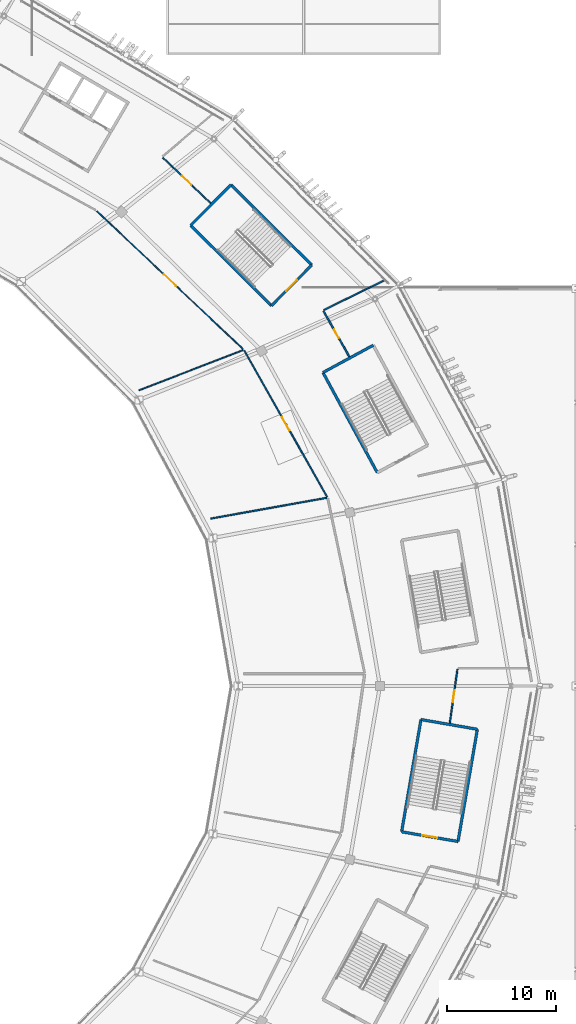
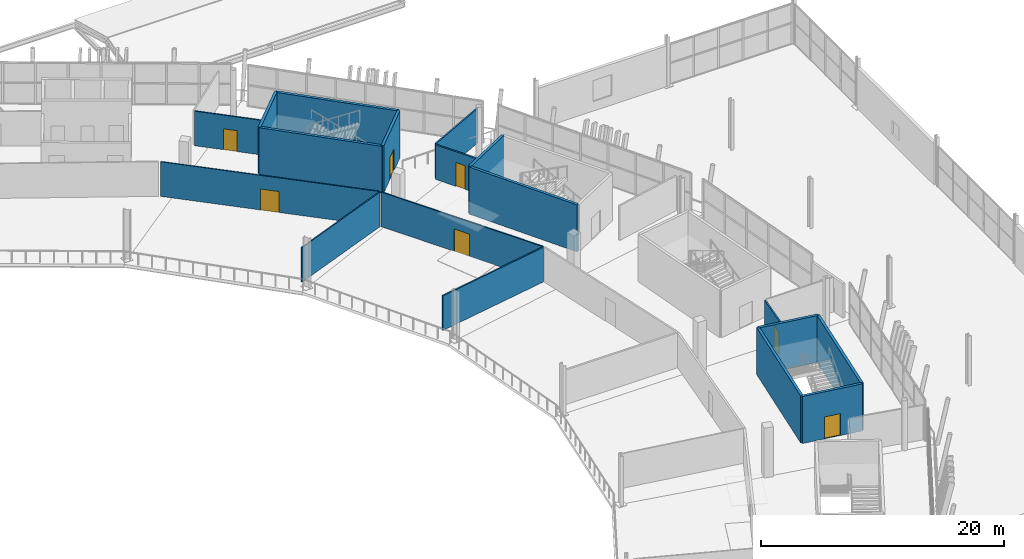
# One storey, part 131 of 179: 18 walls, 7 doors, 7 openings.
"""IFC4 building model written with IfcOpenShell, lengths in metres."""

import ifcopenshell
import ifcopenshell.guid

model = None  # the IFC model being written
_history = None  # IfcOwnerHistory: only IFC2X3 demands one
_inside = {}  # id of a spatial element -> (the spatial element, [elements in it])
_under = {}  # id of a project, library or spatial element -> (it, [spatial elements below it])
_declared = {}  # id of a project -> (the project, [libraries it declares])
_typed = {}  # id of a type object -> (the type object, [elements of that type])
_made_of = {}  # id of a material, layer set ... -> (it, [elements and type objects made of it])


def new_model(schema):
    """Start an empty IFC model of exactly this schema.

    Asked for "IFC4X3", IfcOpenShell would pick the latest addendum, in which some entities
    have other attributes; the version numbers below select the first issue.
    IFC2X3 requires an IfcOwnerHistory on every rooted entity: one is made here for all.
    """
    global model, _history
    if schema == "IFC4X3":
        model = ifcopenshell.file(schema_version=(4, 3, 0, 0))
    else:
        model = ifcopenshell.file(schema=schema)
    _inside.clear()
    _under.clear()
    _declared.clear()
    _typed.clear()
    _made_of.clear()
    _history = None
    if model.schema == "IFC2X3":
        org = make("IfcOrganization", Name="unknown")
        user = make(
            "IfcPersonAndOrganization",
            ThePerson=make("IfcPerson", FamilyName="unknown"),
            TheOrganization=org,
        )
        app = make(
            "IfcApplication",
            ApplicationDeveloper=org,
            Version="unknown",
            ApplicationFullName="unknown",
            ApplicationIdentifier="unknown",
        )
        _history = make(
            "IfcOwnerHistory",
            OwningUser=user,
            OwningApplication=app,
            ChangeAction="ADDED",
            CreationDate=0,
        )
    return model


def make(cls, **values):
    """One entity of the class cls with the attributes given. An attribute that is None is left unset."""
    return model.create_entity(
        cls, **{name: value for name, value in values.items() if value is not None}
    )


def rooted(cls, **values):
    """An entity with a GlobalId (a new one), such as an element, a storey or a relation."""
    return make(cls, GlobalId=ifcopenshell.guid.new(), OwnerHistory=_history, **values)


def si_unit(unit_type, name, prefix=None):
    """IfcSIUnit, for example si_unit("LENGTHUNIT", "METRE", prefix="MILLI")."""
    return make("IfcSIUnit", UnitType=unit_type, Prefix=prefix, Name=name)


def assignment(units):
    """IfcUnitAssignment: the units of a project."""
    return None if units is None else make("IfcUnitAssignment", Units=units)


def point(xyz):
    """IfcCartesianPoint."""
    return None if xyz is None else make("IfcCartesianPoint", Coordinates=xyz)


def direction(xyz):
    """IfcDirection."""
    return None if xyz is None else make("IfcDirection", DirectionRatios=xyz)


def frame(location, z_axis=None, x_axis=None):
    """IfcAxis2Placement3D, a coordinate frame: its origin and axes. An axis left out is left unset."""
    return make(
        "IfcAxis2Placement3D",
        Location=point(location),
        Axis=direction(z_axis),
        RefDirection=direction(x_axis),
    )


def frame_2d(location, x_axis=None):
    """IfcAxis2Placement2D, a coordinate frame in the plane: its origin and x axis."""
    return make(
        "IfcAxis2Placement2D", Location=point(location), RefDirection=direction(x_axis)
    )


def origin():
    """The frame at (0, 0, 0) with its axes left unset."""
    return frame((0.0, 0.0, 0.0))


def place(relative_to, where):
    """IfcLocalPlacement: puts the frame where relative to a parent placement (None: the world)."""
    return make(
        "IfcLocalPlacement", PlacementRelTo=relative_to, RelativePlacement=where
    )


def context(
    kind, dimensions, precision=None, world=None, true_north=None, identifier=None
):
    """IfcGeometricRepresentationContext, for example the 3D "Model" context."""
    return make(
        "IfcGeometricRepresentationContext",
        ContextIdentifier=identifier,
        ContextType=kind,
        CoordinateSpaceDimension=dimensions,
        Precision=precision,
        WorldCoordinateSystem=world,
        TrueNorth=true_north,
    )


def subcontext(parent, identifier, kind, view, scale=None):
    """IfcGeometricRepresentationSubContext, for example "Body" below "Model"."""
    return make(
        "IfcGeometricRepresentationSubContext",
        ContextIdentifier=identifier,
        ContextType=kind,
        ParentContext=parent,
        TargetScale=scale,
        TargetView=view,
    )


def project(units=None, contexts=None):
    """IfcProject with its units and contexts."""
    return rooted(
        "IfcProject",
        Name="project",
        RepresentationContexts=contexts,
        UnitsInContext=assignment(units),
    )


def spatial(cls, under=None, at=None, **own):
    """A site, building, storey or space (cls), placed at a placement, below another one or the project."""
    s = rooted(cls, ObjectPlacement=at, **own)
    if under is not None:
        _under.setdefault(under.id(), (under, []))[1].append(s)
    return s


def profile(cls, at=None, kind="AREA", **sizes):
    """A parametric profile (cls). Its sizes go by their IFC names, for example OverallWidth=200.0."""
    return make(cls, ProfileType=kind, Position=at, **sizes)


def rectangle(**sizes):
    """IfcRectangleProfileDef."""
    return profile("IfcRectangleProfileDef", **sizes)


def extrude(swept, where, along, depth):
    """IfcExtrudedAreaSolid: the profile swept, set in the frame where, extruded along a direction by depth."""
    return make(
        "IfcExtrudedAreaSolid",
        SweptArea=swept,
        Position=where,
        ExtrudedDirection=direction(along),
        Depth=depth,
    )


def shape(context_of_items, identifier, shape_type, items):
    """IfcShapeRepresentation: the items that make up one representation, for example the "Body"."""
    return make(
        "IfcShapeRepresentation",
        ContextOfItems=context_of_items,
        RepresentationIdentifier=identifier,
        RepresentationType=shape_type,
        Items=items,
    )


def material(Name=None, Category=None):
    """IfcMaterial."""
    return make("IfcMaterial", Name=Name, Category=Category)


def layer(
    of_material, thickness, ventilated=None, Name=None, Category=None, Priority=None
):
    """IfcMaterialLayer: one layer of a wall or slab, of a material (None: an air gap)."""
    return make(
        "IfcMaterialLayer",
        Material=of_material,
        LayerThickness=thickness,
        IsVentilated=ventilated,
        Name=Name,
        Category=Category,
        Priority=Priority,
    )


def layer_set(layers, Name=None):
    """IfcMaterialLayerSet."""
    return make("IfcMaterialLayerSet", MaterialLayers=layers, LayerSetName=Name)


def made_of(thing, what):
    """Note that an element or type object is made of a material, layer set ...; save() writes the relation."""
    if what is not None:
        _made_of.setdefault(what.id(), (what, []))[1].append(thing)
    return thing


def type_object(cls, material=None, **own):
    """A type object (cls), such as IfcWallType, which elements share."""
    return made_of(rooted(cls, **own), material)


def element(
    cls,
    number,
    at=None,
    inside=None,
    cuts=None,
    type_object=None,
    material=None,
    context=None,
    identifier="Body",
    shape_type=None,
    held_by="IfcProductDefinitionShape",
    body=None,
    shapes=None,
    **own,
):
    """One element of the class cls, such as IfcWall. Its Tag is "e" and its number.

    at: its placement. inside: the storey or other place that contains it. cuts: it is an
    opening in that element (IfcRelVoidsElement). A single representation is given by context,
    identifier, shape_type and body (its items); several are given by shapes. held_by: the class
    of the entity that holds the representations. save() writes the other relations.
    """
    e = rooted(cls, Tag="e%d" % number, ObjectPlacement=at, **own)
    if body is not None:
        shapes = [shape(context, identifier, shape_type, body)]
    if shapes is not None:
        e.Representation = make(held_by, Representations=shapes)
    if inside is not None:
        _inside.setdefault(inside.id(), (inside, []))[1].append(e)
    if cuts is not None:
        rooted(
            "IfcRelVoidsElement", RelatingBuildingElement=cuts, RelatedOpeningElement=e
        )
    if type_object is not None:
        _typed.setdefault(type_object.id(), (type_object, []))[1].append(e)
    return made_of(e, material)


def fill(opening, filler):
    """IfcRelFillsElement: the door or window that sits in an opening."""
    return rooted(
        "IfcRelFillsElement",
        RelatingOpeningElement=opening,
        RelatedBuildingElement=filler,
    )


def aggregate(whole, parts):
    """IfcRelAggregates: a whole, such as a stair, and the parts it consists of."""
    return rooted("IfcRelAggregates", RelatingObject=whole, RelatedObjects=parts)


def save(model, path):
    """Write the relations noted so far, then the file.

    IfcRelAggregates (storeys below a building ...), IfcRelContainedInSpatialStructure (elements
    in a storey), IfcRelDefinesByType, IfcRelAssociatesMaterial and IfcRelDeclares: one each for
    every whole, place, type object, material and project.
    """
    for whole, parts in _under.values():
        aggregate(whole, parts)
    for where, things in _inside.values():
        rooted(
            "IfcRelContainedInSpatialStructure",
            RelatedElements=things,
            RelatingStructure=where,
        )
    for kind, things in _typed.values():
        rooted("IfcRelDefinesByType", RelatedObjects=things, RelatingType=kind)
    for what, things in _made_of.values():
        rooted("IfcRelAssociatesMaterial", RelatedObjects=things, RelatingMaterial=what)
    for by, libraries in _declared.values():
        rooted("IfcRelDeclares", RelatingContext=by, RelatedDefinitions=libraries)
    model.write(path)


model = new_model("IFC4")

# Units and contexts
model_context = context("Model", 3, precision=1e-05, world=origin(), true_north=direction((0.0, 1.0)))
body_context = subcontext(model_context, "Body", "Model", "MODEL_VIEW")
ifc_project = project(units=[si_unit("LENGTHUNIT", "METRE"), si_unit("AREAUNIT", "SQUARE_METRE"), si_unit("VOLUMEUNIT", "CUBIC_METRE"), si_unit("PLANEANGLEUNIT", "RADIAN"), si_unit("MASSUNIT", "GRAM", prefix="KILO")], contexts=[model_context])

# Site, building, storey
site_placement = place(None, origin())
site = spatial("IfcSite", under=ifc_project, at=site_placement, CompositionType="ELEMENT")
building_placement = place(site_placement, origin())
building = spatial("IfcBuilding", under=site, at=building_placement, Name="Zlatoyarsky Gate Stadium", CompositionType="ELEMENT")
storey_placement = place(building_placement, frame((0.0, 0.0, 10.60009765625)))
storey = spatial("IfcBuildingStorey", under=building, at=storey_placement, Name="L02", CompositionType="ELEMENT", Elevation=10.60009765625)

# Wall, opening, door
ifc_material_1 = material(Name="Metal-stud gypsum partition", Category="gypsum")
ifc_layer_1 = layer(ifc_material_1, 0.14990234375)
ifc_layer_set_1 = layer_set([ifc_layer_1], Name="Metal-stud gypsum partition")
wall_type_1 = type_object("IfcWallType", Name="CONCOURSE CORRIDOR PARTITION 150", PredefinedType="PARTITIONING", material=ifc_layer_set_1)
wall_1_placement = place(storey_placement, frame((189.186279296875, 110.2236328125, 0.0), z_axis=(0.0, 0.0, 1.0), x_axis=(-0.493135708801, 0.869952396804, 0.0)))
wall_1 = element("IfcWall", 1, at=wall_1_placement, inside=storey, type_object=wall_type_1, Name="L02 interior partition PRT-L02-OCC-01-1", PredefinedType="PARTITIONING", context=body_context, shape_type="SweptSolid", body=[
    extrude(rectangle(XDim=4.80224609375, YDim=0.14990234375, at=frame_2d((2.401123046875, 0.0))), origin(), (0.0, 0.0, 1.0), 3.469970703125),
])
opening_1_placement = place(wall_1_placement, frame((1.951171875, 0.0, 0.0)))
opening_1 = element("IfcOpeningElement", 2, at=opening_1_placement, cuts=wall_1, Name="Opening D-L02-342", PredefinedType="OPENING", context=body_context, shape_type="SweptSolid", body=[
    extrude(rectangle(XDim=0.89990234375, YDim=2.3798828125, at=frame_2d((0.449951171875, 1.18994140625))), frame((0.0, 0.0849609375, 0.0), z_axis=(0.0, -1.0, 0.0), x_axis=(1.0, 0.0, 0.0)), (0.0, 0.0, 1.0), 0.169921875),
])
ifc_material_2 = material(Name="Powder-coated steel fire door", Category="steel")
door_type_1 = type_object("IfcDoorType", Name="ACOUSTIC INTERIOR DOOR 900X2380", OperationType="NOTDEFINED", PredefinedType="DOOR", material=ifc_material_2)
door_1_placement = place(opening_1_placement, origin())
door_1 = element("IfcDoor", 3, at=door_1_placement, inside=storey, type_object=door_type_1, Name="L02 room door D-L02-342", OperationType="SINGLE_SWING_RIGHT", OverallHeight=2.3798828125, OverallWidth=0.89990234375, PredefinedType="DOOR", context=body_context, shape_type="SweptSolid", body=[
    extrude(rectangle(XDim=0.89990234375, YDim=2.3798828125, at=frame_2d((0.449951171875, 1.18994140625))), frame((0.0, 0.02490234375, 0.0), z_axis=(0.0, -1.0, 0.0), x_axis=(1.0, 0.0, 0.0)), (0.0, 0.0, 1.0), 0.050048828125),
])
fill(opening_1, door_1)

ifc_material_3 = material(Name="Concrete C40/50", Category="concrete")
ifc_layer_2 = layer(ifc_material_3, 0.25)
ifc_layer_set_2 = layer_set([ifc_layer_2], Name="Concrete C40/50")
wall_type_2 = type_object("IfcWallType", Name="CONCRETE STAIR CORE SHEAR WALL 250", PredefinedType="SHEAR", material=ifc_layer_set_2)
wall_2_placement = place(storey_placement, frame((182.038818359375, 114.89794921875, 0.0), z_axis=(0.0, 0.0, 1.0), x_axis=(0.705314141126, 0.708894888067, 0.0)))
wall_2 = element("IfcWall", 4, at=wall_2_placement, inside=storey, type_object=wall_type_2, Name="ST-02 L02 stair core entrance shear wall", PredefinedType="SHEAR", context=body_context, shape_type="SweptSolid", body=[
    extrude(rectangle(XDim=5.25, YDim=0.25, at=frame_2d((2.625, 0.0))), origin(), (0.0, 0.0, 1.0), 4.719970703125),
])
opening_2_placement = place(wall_2_placement, frame((1.925048828125, 0.0, 0.0)))
opening_2 = element("IfcOpeningElement", 5, at=opening_2_placement, cuts=wall_2, Name="Opening SD-ST-02-L02", PredefinedType="OPENING", context=body_context, shape_type="SweptSolid", body=[
    extrude(rectangle(XDim=1.39990234375, YDim=2.199951171875, at=frame_2d((0.699951171875, 1.10009765625))), frame((0.0, 0.135009765625, 0.0), z_axis=(0.0, -1.0, 0.0), x_axis=(1.0, 0.0, 0.0)), (0.0, 0.0, 1.0), 0.27001953125),
])
door_type_2 = type_object("IfcDoorType", Name="STAIR CORE FIRE EXIT DOOR 1400X2200", OperationType="NOTDEFINED", PredefinedType="DOOR", material=ifc_material_2)
door_2_placement = place(opening_2_placement, frame((1.39990234375, 0.0, 0.0), z_axis=(0.0, 0.0, 1.0), x_axis=(-1.0, 0.0, 0.0)))
door_2 = element("IfcDoor", 6, at=door_2_placement, inside=storey, type_object=door_type_2, Name="ST-02 L02 stair fire door", OperationType="SINGLE_SWING_RIGHT", OverallHeight=2.199951171875, OverallWidth=1.39990234375, PredefinedType="DOOR", context=body_context, shape_type="SweptSolid", body=[
    extrude(rectangle(XDim=1.39990234375, YDim=2.199951171875, at=frame_2d((0.699951171875, 1.10009765625))), frame((0.0, 0.02490234375, 0.0), z_axis=(0.0, -1.0, 0.0), x_axis=(1.0, 0.0, 0.0)), (0.0, 0.0, 1.0), 0.050048828125),
])
fill(opening_2, door_2)

# Walls
wall_3_placement = place(storey_placement, frame((185.74169921875, 118.61962890625, 0.0), z_axis=(0.0, 0.0, 1.0), x_axis=(-0.708891762409, 0.705317282639, 0.0)))
element("IfcWall", 7, at=wall_3_placement, inside=storey, type_object=wall_type_2, Name="ST-02 L02 stair core left shear wall", PredefinedType="SHEAR", context=body_context, shape_type="SweptSolid", body=[
    extrude(rectangle(XDim=10.449951171875, YDim=0.25, at=frame_2d((5.22509765625, 0.0))), origin(), (0.0, 0.0, 1.0), 4.719970703125),
])
wall_4_placement = place(storey_placement, frame((178.333740234375, 125.990234375, 0.0), z_axis=(0.0, 0.0, 1.0), x_axis=(-0.705314141126, -0.708894888067, 0.0)))
element("IfcWall", 8, at=wall_4_placement, inside=storey, type_object=wall_type_2, Name="ST-02 L02 stair core far shear wall", PredefinedType="SHEAR", context=body_context, shape_type="SweptSolid", body=[
    extrude(rectangle(XDim=5.25, YDim=0.25, at=frame_2d((2.625, 0.0))), origin(), (0.0, 0.0, 1.0), 4.719970703125),
])
wall_5_placement = place(storey_placement, frame((174.630859375, 122.2685546875, 0.0), z_axis=(0.0, 0.0, 1.0), x_axis=(0.708891762409, -0.705317282639, 0.0)))
element("IfcWall", 9, at=wall_5_placement, inside=storey, type_object=wall_type_2, Name="ST-02 L02 stair core right shear wall", PredefinedType="SHEAR", context=body_context, shape_type="SweptSolid", body=[
    extrude(rectangle(XDim=10.449951171875, YDim=0.25, at=frame_2d((5.22509765625, 0.0))), origin(), (0.0, 0.0, 1.0), 4.719970703125),
])
wall_6_placement = place(storey_placement, frame((191.384765625, 111.268798828125, 0.0), z_axis=(0.0, 0.0, 1.0), x_axis=(-0.878961487093, -0.47689275965, 0.0)))
element("IfcWall", 10, at=wall_6_placement, inside=storey, type_object=wall_type_2, Name="ST-13 L02 stair core far shear wall", PredefinedType="SHEAR", context=body_context, shape_type="SweptSolid", body=[
    extrude(rectangle(XDim=5.25, YDim=0.25, at=frame_2d((2.625, 0.0))), origin(), (0.0, 0.0, 1.0), 4.719970703125),
])
wall_7_placement = place(storey_placement, frame((186.770263671875, 108.76513671875, 0.0), z_axis=(0.0, 0.0, 1.0), x_axis=(0.476876856974, -0.878970115125, 0.0)))
element("IfcWall", 11, at=wall_7_placement, inside=storey, type_object=wall_type_2, Name="ST-13 L02 stair core right shear wall", PredefinedType="SHEAR", context=body_context, shape_type="SweptSolid", body=[
    extrude(rectangle(XDim=10.4501953125, YDim=0.25, at=frame_2d((5.22509765625, 0.0))), origin(), (0.0, 0.0, 1.0), 4.719970703125),
])

# Wall, opening, door
wall_8_placement = place(storey_placement, frame((193.98681640625, 66.625244140625, 0.0), z_axis=(0.0, 0.0, 1.0), x_axis=(0.985457162135, -0.16992404655, 0.0)))
wall_8 = element("IfcWall", 12, at=wall_8_placement, inside=storey, type_object=wall_type_2, Name="ST-20 L02 stair core entrance shear wall", PredefinedType="SHEAR", context=body_context, shape_type="SweptSolid", body=[
    extrude(rectangle(XDim=5.25, YDim=0.25, at=frame_2d((2.625, 0.0))), origin(), (0.0, 0.0, 1.0), 4.719970703125),
])
opening_3_placement = place(wall_8_placement, frame((1.925048828125, 0.0, 0.0)))
opening_3 = element("IfcOpeningElement", 13, at=opening_3_placement, cuts=wall_8, Name="Opening SD-ST-20-L02", PredefinedType="OPENING", context=body_context, shape_type="SweptSolid", body=[
    extrude(rectangle(XDim=1.39990234375, YDim=2.199951171875, at=frame_2d((0.699951171875, 1.10009765625))), frame((0.0, 0.135009765625, 0.0), z_axis=(0.0, -1.0, 0.0), x_axis=(1.0, 0.0, 0.0)), (0.0, 0.0, 1.0), 0.27001953125),
])
door_3_placement = place(opening_3_placement, frame((1.39990234375, 0.0, 0.0), z_axis=(0.0, 0.0, 1.0), x_axis=(-1.0, 0.0, 0.0)))
door_3 = element("IfcDoor", 14, at=door_3_placement, inside=storey, type_object=door_type_2, Name="ST-20 L02 stair fire door", OperationType="SINGLE_SWING_RIGHT", OverallHeight=2.199951171875, OverallWidth=1.39990234375, PredefinedType="DOOR", context=body_context, shape_type="SweptSolid", body=[
    extrude(rectangle(XDim=1.39990234375, YDim=2.199951171875, at=frame_2d((0.699951171875, 1.10009765625))), frame((0.0, 0.02490234375, 0.0), z_axis=(0.0, -1.0, 0.0), x_axis=(1.0, 0.0, 0.0)), (0.0, 0.0, 1.0), 0.050048828125),
])
fill(opening_3, door_3)

# Walls
wall_9_placement = place(storey_placement, frame((199.160400390625, 65.733154296875, 0.0), z_axis=(0.0, 0.0, 1.0), x_axis=(0.169938992676, 0.985454584833, 0.0)))
element("IfcWall", 15, at=wall_9_placement, inside=storey, type_object=wall_type_2, Name="ST-20 L02 stair core left shear wall", PredefinedType="SHEAR", context=body_context, shape_type="SweptSolid", body=[
    extrude(rectangle(XDim=10.4501953125, YDim=0.25, at=frame_2d((5.22509765625, 0.0))), origin(), (0.0, 0.0, 1.0), 4.719970703125),
])
wall_10_placement = place(storey_placement, frame((200.936279296875, 76.03125, 0.0), z_axis=(0.0, 0.0, 1.0), x_axis=(-0.985458504796, 0.169916259745, 0.0)))
element("IfcWall", 16, at=wall_10_placement, inside=storey, type_object=wall_type_2, Name="ST-20 L02 stair core far shear wall", PredefinedType="SHEAR", context=body_context, shape_type="SweptSolid", body=[
    extrude(rectangle(XDim=5.250244140625, YDim=0.25, at=frame_2d((2.625, 0.0))), origin(), (0.0, 0.0, 1.0), 4.719970703125),
])
wall_11_placement = place(storey_placement, frame((195.762451171875, 76.92333984375, 0.0), z_axis=(0.0, 0.0, 1.0), x_axis=(-0.16991630471, -0.985458497043, 0.0)))
element("IfcWall", 17, at=wall_11_placement, inside=storey, type_object=wall_type_2, Name="ST-20 L02 stair core right shear wall", PredefinedType="SHEAR", context=body_context, shape_type="SweptSolid", body=[
    extrude(rectangle(XDim=10.449951171875, YDim=0.25, at=frame_2d((5.22509765625, 0.0))), origin(), (0.0, 0.0, 1.0), 4.719970703125),
])
ifc_layer_3 = layer(ifc_material_1, 0.110107421875)
ifc_layer_set_3 = layer_set([ifc_layer_3], Name="Metal-stud gypsum partition")
wall_type_3 = type_object("IfcWallType", Name="KIOSK SERVICE PARTITION 110", PredefinedType="PARTITIONING", material=ifc_layer_set_3)
wall_12_placement = place(storey_placement, frame((169.8896484375, 107.1337890625, 0.0), z_axis=(0.0, 0.0, 1.0), x_axis=(0.932828788928, 0.360319928046, 0.0)))
element("IfcWall", 18, at=wall_12_placement, inside=storey, type_object=wall_type_3, Name="L02 interior partition PRT-L02-IRD-02", PredefinedType="PARTITIONING", context=body_context, shape_type="SweptSolid", body=[
    extrude(rectangle(XDim=10.2216796875, YDim=0.110107421875, at=frame_2d((5.11083984375, 0.0))), origin(), (0.0, 0.0, 1.0), 3.469970703125),
])

# Wall, opening, door
ifc_layer_4 = layer(ifc_material_1, 0.10009765625)
ifc_layer_set_4 = layer_set([ifc_layer_4], Name="Metal-stud gypsum partition")
wall_type_4 = type_object("IfcWallType", Name="LIGHT STORAGE PARTITION 100", PredefinedType="PARTITIONING", material=ifc_layer_set_4)
wall_13_placement = place(storey_placement, frame((179.4423828125, 110.90576171875, 0.0), z_axis=(0.0, 0.0, 1.0), x_axis=(-0.727188459798, 0.686437866043, 0.0)))
wall_13 = element("IfcWall", 19, at=wall_13_placement, inside=storey, type_object=wall_type_4, Name="L02 interior partition PRT-L02-ICC-02", PredefinedType="PARTITIONING", context=body_context, shape_type="SweptSolid", body=[
    extrude(rectangle(XDim=18.45849609375, YDim=0.10009765625, at=frame_2d((9.229248046875, 0.0))), origin(), (0.0, 0.0, 1.0), 3.469970703125),
])
opening_4_placement = place(wall_13_placement, frame((8.44921875, 0.0, 0.0)))
opening_4 = element("IfcOpeningElement", 20, at=opening_4_placement, cuts=wall_13, Name="Opening D-L02-287", PredefinedType="OPENING", context=body_context, shape_type="SweptSolid", body=[
    extrude(rectangle(XDim=1.56005859375, YDim=2.10009765625, at=frame_2d((0.780029296875, 1.050048828125))), frame((0.0, 0.06005859375, 0.0), z_axis=(0.0, -1.0, 0.0), x_axis=(1.0, 0.0, 0.0)), (0.0, 0.0, 1.0), 0.1201171875),
])
ifc_material_4 = material(Name="Solid-core oak veneer acoustic door", Category="wood")
door_type_3 = type_object("IfcDoorType", Name="ACOUSTIC INTERIOR DOOR 1560X2100", OperationType="NOTDEFINED", PredefinedType="DOOR", material=ifc_material_4)
door_4_placement = place(opening_4_placement, origin())
door_4 = element("IfcDoor", 21, at=door_4_placement, inside=storey, type_object=door_type_3, Name="L02 room door D-L02-287", OperationType="SINGLE_SWING_LEFT", OverallHeight=2.10009765625, OverallWidth=1.56005859375, PredefinedType="DOOR", context=body_context, shape_type="SweptSolid", body=[
    extrude(rectangle(XDim=1.56005859375, YDim=2.10009765625, at=frame_2d((0.780029296875, 1.050048828125))), frame((0.0, 0.02490234375, 0.0), z_axis=(0.0, -1.0, 0.0), x_axis=(1.0, 0.0, 0.0)), (0.0, 0.0, 1.0), 0.050048828125),
])
fill(opening_4, door_4)

ifc_layer_5 = layer(ifc_material_1, 0.1201171875)
ifc_layer_set_5 = layer_set([ifc_layer_5], Name="Metal-stud gypsum partition")
wall_type_5 = type_object("IfcWallType", Name="OFFICE AND PRESS PARTITION 120", PredefinedType="PARTITIONING", material=ifc_layer_set_5)
wall_14_placement = place(storey_placement, frame((187.152099609375, 97.35595703125, 0.0), z_axis=(0.0, 0.0, 1.0), x_axis=(-0.493145963638, 0.869946583732, 0.0)))
wall_14 = element("IfcWall", 22, at=wall_14_placement, inside=storey, type_object=wall_type_5, Name="L02 interior partition PRT-L02-ICC-01", PredefinedType="PARTITIONING", context=body_context, shape_type="SweptSolid", body=[
    extrude(rectangle(XDim=15.42333984375, YDim=0.1201171875, at=frame_2d((7.711669921875, 0.0))), origin(), (0.0, 0.0, 1.0), 3.469970703125),
])
opening_5_placement = place(wall_14_placement, frame((6.99169921875, 0.0, 0.0)))
opening_5 = element("IfcOpeningElement", 23, at=opening_5_placement, cuts=wall_14, Name="Opening D-L02-285", PredefinedType="OPENING", context=body_context, shape_type="SweptSolid", body=[
    extrude(rectangle(XDim=1.43994140625, YDim=2.239990234375, at=frame_2d((0.719970703125, 1.1201171875))), frame((0.0, 0.070068359375, 0.0), z_axis=(0.0, -1.0, 0.0), x_axis=(1.0, 0.0, 0.0)), (0.0, 0.0, 1.0), 0.14013671875),
])
door_type_4 = type_object("IfcDoorType", Name="ACOUSTIC INTERIOR DOOR 1440X2240", OperationType="NOTDEFINED", PredefinedType="DOOR", material=ifc_material_4)
door_5_placement = place(opening_5_placement, origin())
door_5 = element("IfcDoor", 24, at=door_5_placement, inside=storey, type_object=door_type_4, Name="L02 room door D-L02-285", OperationType="SINGLE_SWING_RIGHT", OverallHeight=2.239990234375, OverallWidth=1.43994140625, PredefinedType="DOOR", context=body_context, shape_type="SweptSolid", body=[
    extrude(rectangle(XDim=1.43994140625, YDim=2.239990234375, at=frame_2d((0.719970703125, 1.1201171875))), frame((0.0, 0.02490234375, 0.0), z_axis=(0.0, -1.0, 0.0), x_axis=(1.0, 0.0, 0.0)), (0.0, 0.0, 1.0), 0.050048828125),
])
fill(opening_5, door_5)

wall_15_placement = place(storey_placement, frame((176.4619140625, 124.293212890625, 0.0), z_axis=(0.0, 0.0, 1.0), x_axis=(-0.724304111995, 0.689480640299, 0.0)))
wall_15 = element("IfcWall", 25, at=wall_15_placement, inside=storey, type_object=wall_type_5, Name="L02 interior partition PRT-L02-OCC-02-1", PredefinedType="PARTITIONING", context=body_context, shape_type="SweptSolid", body=[
    extrude(rectangle(XDim=6.078369140625, YDim=0.1201171875, at=frame_2d((3.0390625, 0.0))), origin(), (0.0, 0.0, 1.0), 3.469970703125),
])
opening_6_placement = place(wall_15_placement, frame((2.459228515625, 0.0, 0.0)))
opening_6 = element("IfcOpeningElement", 26, at=opening_6_placement, cuts=wall_15, Name="Opening D-L02-345", PredefinedType="OPENING", context=body_context, shape_type="SweptSolid", body=[
    extrude(rectangle(XDim=1.159912109375, YDim=2.10009765625, at=frame_2d((0.580078125, 1.050048828125))), frame((0.0, 0.070068359375, 0.0), z_axis=(0.0, -1.0, 0.0), x_axis=(1.0, 0.0, 0.0)), (0.0, 0.0, 1.0), 0.14013671875),
])
door_type_5 = type_object("IfcDoorType", Name="ACOUSTIC INTERIOR DOOR 1160X2100", OperationType="NOTDEFINED", PredefinedType="DOOR", material=ifc_material_4)
door_6_placement = place(opening_6_placement, origin())
door_6 = element("IfcDoor", 27, at=door_6_placement, inside=storey, type_object=door_type_5, Name="L02 room door D-L02-345", OperationType="SINGLE_SWING_LEFT", OverallHeight=2.10009765625, OverallWidth=1.159912109375, PredefinedType="DOOR", context=body_context, shape_type="SweptSolid", body=[
    extrude(rectangle(XDim=1.159912109375, YDim=2.10009765625, at=frame_2d((0.580078125, 1.050048828125))), frame((0.0, 0.02490234375, 0.0), z_axis=(0.0, -1.0, 0.0), x_axis=(1.0, 0.0, 0.0)), (0.0, 0.0, 1.0), 0.050048828125),
])
fill(opening_6, door_6)

# Walls
ifc_material_5 = material(Name="Moisture-resistant tile-backed partition", Category="gypsum")
ifc_layer_6 = layer(ifc_material_5, 0.1298828125)
ifc_layer_set_6 = layer_set([ifc_layer_6], Name="Moisture-resistant tile-backed partition")
wall_type_6 = type_object("IfcWallType", Name="SANITARY WET ROOM PARTITION 130", PredefinedType="PARTITIONING", material=ifc_layer_set_6)
wall_16_placement = place(storey_placement, frame((176.47216796875, 95.36279296875, 0.0), z_axis=(0.0, 0.0, 1.0), x_axis=(0.984352788702, 0.176208931032, 0.0)))
element("IfcWall", 28, at=wall_16_placement, inside=storey, type_object=wall_type_6, Name="L02 interior partition PRT-L02-IRD-01", PredefinedType="PARTITIONING", context=body_context, shape_type="SweptSolid", body=[
    extrude(rectangle(XDim=10.80712890625, YDim=0.1298828125, at=frame_2d((5.403564453125, 0.0))), origin(), (0.0, 0.0, 1.0), 3.469970703125),
])
wall_17_placement = place(storey_placement, frame((186.8525390625, 114.5126953125, 0.0), z_axis=(0.0, 0.0, 1.0), x_axis=(0.898066214184, 0.439860290253, 0.0)))
element("IfcWall", 29, at=wall_17_placement, inside=storey, type_object=wall_type_6, Name="L02 interior partition PRT-L02-ORD-01R", PredefinedType="PARTITIONING", context=body_context, shape_type="SweptSolid", body=[
    extrude(rectangle(XDim=6.1748046875, YDim=0.1298828125, at=frame_2d((3.08740234375, 0.0))), origin(), (0.0, 0.0, 1.0), 3.469970703125),
])

# Wall, opening, door
wall_18_placement = place(storey_placement, frame((198.40673828125, 76.599365234375, 0.0), z_axis=(0.0, 0.0, 1.0), x_axis=(0.140366813121, 0.990099569626, 0.0)))
wall_18 = element("IfcWall", 30, at=wall_18_placement, inside=storey, type_object=wall_type_6, Name="L02 interior partition PRT-L02-OCC-23-1", PredefinedType="PARTITIONING", context=body_context, shape_type="SweptSolid", body=[
    extrude(rectangle(XDim=4.99169921875, YDim=0.1298828125, at=frame_2d((2.495849609375, 0.0))), origin(), (0.0, 0.0, 1.0), 3.469970703125),
])
opening_7_placement = place(wall_18_placement, frame((1.955810546875, 0.0, 0.0)))
opening_7 = element("IfcOpeningElement", 31, at=opening_7_placement, cuts=wall_18, Name="Opening D-L02-384", PredefinedType="OPENING", context=body_context, shape_type="SweptSolid", body=[
    extrude(rectangle(XDim=1.080078125, YDim=2.239990234375, at=frame_2d((0.5400390625, 1.1201171875))), frame((0.0, 0.074951171875, 0.0), z_axis=(0.0, -1.0, 0.0), x_axis=(1.0, 0.0, 0.0)), (0.0, 0.0, 1.0), 0.14990234375),
])
door_type_6 = type_object("IfcDoorType", Name="ACOUSTIC INTERIOR DOOR 1080X2240", OperationType="NOTDEFINED", PredefinedType="DOOR", material=ifc_material_4)
door_7_placement = place(opening_7_placement, origin())
door_7 = element("IfcDoor", 32, at=door_7_placement, inside=storey, type_object=door_type_6, Name="L02 room door D-L02-384", OperationType="SINGLE_SWING_LEFT", OverallHeight=2.239990234375, OverallWidth=1.080078125, PredefinedType="DOOR", context=body_context, shape_type="SweptSolid", body=[
    extrude(rectangle(XDim=1.080078125, YDim=2.239990234375, at=frame_2d((0.5400390625, 1.1201171875))), frame((0.0, 0.02490234375, 0.0), z_axis=(0.0, -1.0, 0.0), x_axis=(1.0, 0.0, 0.0)), (0.0, 0.0, 1.0), 0.050048828125),
])
fill(opening_7, door_7)

save(model, "model.ifc")
